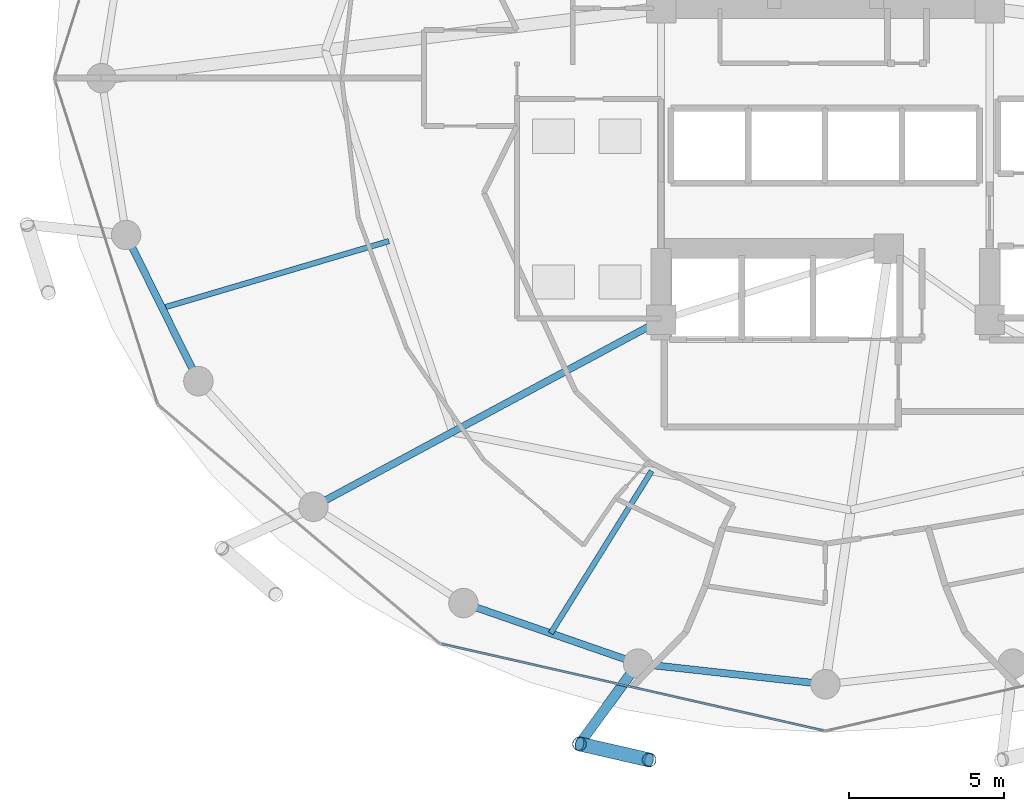
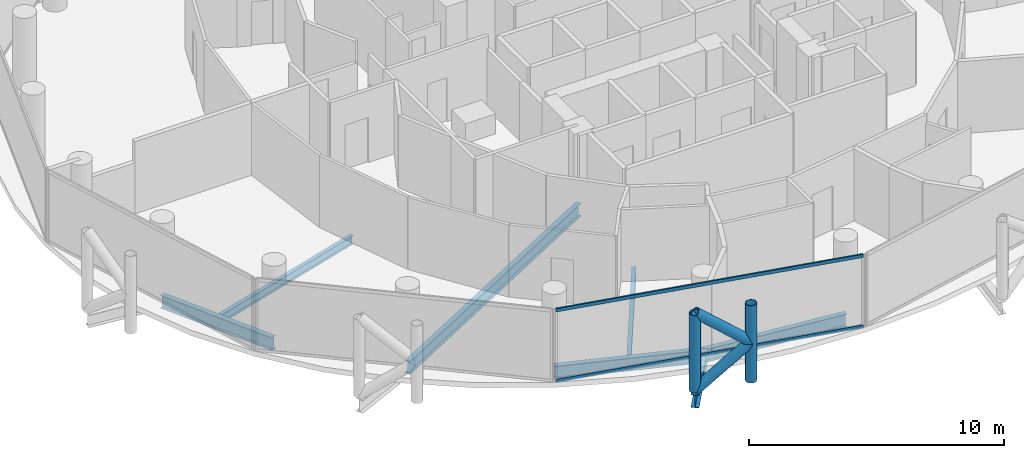
# One storey, part 3 of 26: 7 beams, 6 members, 1 element without a shape of its own.
"""IFC4 building model written with IfcOpenShell, lengths in metres."""

from ifc_helpers import new_model, si_unit, direction, frame, origin, origin_2d, place, context, subcontext, project, spatial, hollow_rectangle, hollow_circle, i_section, extrude, material, layer, layer_set, material_profile, profile_set, type_object, element, aggregate, save


model = new_model("IFC4")

# Units and contexts
model_context = context("Model", 3, precision=1e-05, world=origin(), true_north=direction((0.0, 1.0)))
body_context = subcontext(model_context, "Body", "Model", "MODEL_VIEW")
ifc_project = project(units=[si_unit("LENGTHUNIT", "METRE"), si_unit("AREAUNIT", "SQUARE_METRE"), si_unit("VOLUMEUNIT", "CUBIC_METRE"), si_unit("PLANEANGLEUNIT", "RADIAN"), si_unit("MASSUNIT", "GRAM", prefix="KILO")], contexts=[model_context])

# Site, building, storey
site_placement = place(None, origin())
site = spatial("IfcSite", under=ifc_project, at=site_placement, CompositionType="ELEMENT")
building_placement = place(site_placement, origin())
building = spatial("IfcBuilding", under=site, at=building_placement, Name="Nuhasar Tower", CompositionType="ELEMENT")
storey_placement = place(building_placement, frame((0.0, 0.0, 118.25)))
storey = spatial("IfcBuildingStorey", under=building, at=storey_placement, Name="L27", CompositionType="ELEMENT", Elevation=118.25)

# Beams
ifc_material_1 = material(Name="Steel S355", Category="steel")
ifc_material_profile_1 = material_profile(ifc_material_1, i_section(OverallWidth=0.177978515625, OverallDepth=0.406005859375, WebThickness=0.0078125, FlangeThickness=0.0126953125, at=origin_2d()), Name="W16X40")
ifc_profile_set_1 = profile_set([ifc_material_profile_1], Name="Steel S355")
beam_type_1 = type_object("IfcBeamType", Name="BM-JST-W16X40", PredefinedType="JOIST", material=ifc_profile_set_1)
beam_1_placement = place(storey_placement, frame((33.39697265625, 14.1279296875, -0.452880859375), z_axis=(-0.528139463011, -0.849157645912, 0.0), x_axis=(0.849157645912, -0.528139463011, 0.0)))
element("IfcBeam", 1, at=beam_1_placement, inside=storey, type_object=beam_type_1, Name="L27 Secondary Floor Joist 01", PredefinedType="JOIST", context=body_context, shape_type="SweptSolid", body=[
    extrude(i_section(OverallWidth=0.177978515625, OverallDepth=0.406005859375, WebThickness=0.0078125, FlangeThickness=0.0126953125, at=origin_2d()), origin(), (0.0, 0.0, 1.0), 6.164794921875),
])
beam_2_placement = place(storey_placement, frame((24.922119140625, 21.54296875, -0.452880859375), z_axis=(-0.959013356257, -0.283360869775, 0.0), x_axis=(0.283360869775, -0.959013356257, 0.0)))
element("IfcBeam", 2, at=beam_2_placement, inside=storey, type_object=beam_type_1, Name="L27 Secondary Floor Joist 08", PredefinedType="JOIST", context=body_context, shape_type="SweptSolid", body=[
    extrude(i_section(OverallWidth=0.177978515625, OverallDepth=0.406005859375, WebThickness=0.0078125, FlangeThickness=0.0126953125, at=origin_2d()), origin(), (0.0, 0.0, 1.0), 7.62255859375),
])
ifc_material_profile_2 = material_profile(ifc_material_1, i_section(OverallWidth=0.22900390625, OverallDepth=0.612060546875, WebThickness=0.011962890625, FlangeThickness=0.01953125, at=origin_2d()), Name="W24X84")
ifc_profile_set_2 = profile_set([ifc_material_profile_2], Name="Steel S355")
beam_type_2 = type_object("IfcBeamType", Name="BM-RAD-W24X84", PredefinedType="BEAM", material=ifc_profile_set_2)
beam_3_placement = place(storey_placement, frame((33.699951171875, 19.0, -0.555908203125), z_axis=(-0.880888386928, -0.473324043098, 0.0), x_axis=(0.473324043098, -0.880888386928, 0.0)))
element("IfcBeam", 3, at=beam_3_placement, inside=storey, type_object=beam_type_2, Name="L27 Radial Floor Girder 01", PredefinedType="BEAM", context=body_context, shape_type="SweptSolid", body=[
    extrude(i_section(OverallWidth=0.22900390625, OverallDepth=0.612060546875, WebThickness=0.011962890625, FlangeThickness=0.01953125, at=origin_2d()), origin(), (0.0, 0.0, 1.0), 12.726806640625),
])
ifc_material_profile_3 = material_profile(ifc_material_1, i_section(OverallWidth=0.22998046875, OverallDepth=0.616943359375, WebThickness=0.01318359375, FlangeThickness=0.022216796875, at=origin_2d()), Name="W24X94")
ifc_profile_set_3 = profile_set([ifc_material_profile_3], Name="Steel S355")
beam_type_3 = type_object("IfcBeamType", Name="BM-RING-W24X94", PredefinedType="SPANDREL", material=ifc_profile_set_3)
beam_4_placement = place(storey_placement, frame((16.446044921875, 21.739990234375, -0.55810546875), z_axis=(0.443329327657, -0.896358804966, 0.0), x_axis=(0.896358804966, 0.443329327657, 0.0)))
element("IfcBeam", 4, at=beam_4_placement, inside=storey, type_object=beam_type_3, Name="L27 Perimeter Ring Spandrel 14", PredefinedType="SPANDREL", context=body_context, shape_type="SweptSolid", body=[
    extrude(i_section(OverallWidth=0.22998046875, OverallDepth=0.616943359375, WebThickness=0.01318359375, FlangeThickness=0.022216796875, at=origin_2d()), origin(), (0.0, 0.0, 1.0), 5.26025390625),
])
beam_5_placement = place(storey_placement, frame((27.324951171875, 9.868896484375, -0.55810546875), z_axis=(0.944814057608, -0.327607076458, 0.0), x_axis=(0.327607076458, 0.944814057608, 0.0)))
element("IfcBeam", 5, at=beam_5_placement, inside=storey, type_object=beam_type_3, Name="L27 Perimeter Ring Spandrel 17", PredefinedType="SPANDREL", context=body_context, shape_type="SweptSolid", body=[
    extrude(i_section(OverallWidth=0.22998046875, OverallDepth=0.616943359375, WebThickness=0.01318359375, FlangeThickness=0.022216796875, at=origin_2d()), origin(), (0.0, 0.0, 1.0), 5.9609375),
])
beam_6_placement = place(storey_placement, frame((32.95703125, 7.916015625, -0.55810546875), z_axis=(0.993981289157, -0.109549974015, 0.0), x_axis=(0.109549974015, 0.993981289157, 0.0)))
element("IfcBeam", 6, at=beam_6_placement, inside=storey, type_object=beam_type_3, Name="L27 Perimeter Ring Spandrel 18", PredefinedType="SPANDREL", context=body_context, shape_type="SweptSolid", body=[
    extrude(i_section(OverallWidth=0.22998046875, OverallDepth=0.616943359375, WebThickness=0.01318359375, FlangeThickness=0.022216796875, at=origin_2d()), origin(), (0.0, 0.0, 1.0), 6.07958984375),
])
ifc_material_profile_4 = material_profile(ifc_material_1, i_section(OverallWidth=0.323974609375, OverallDepth=0.611083984375, WebThickness=0.0126953125, FlangeThickness=0.01904296875, at=origin_2d()), Name="W24X104")
ifc_profile_set_4 = profile_set([ifc_material_profile_4], Name="Steel S355")
beam_type_4 = type_object("IfcBeamType", Name="BM-TIE-W24X104", PredefinedType="BEAM", material=ifc_profile_set_4)
beam_7_placement = place(storey_placement, frame((32.95703125, 7.916015625, -0.554931640625), z_axis=(-0.588149050751, -0.808752554309, 0.0), x_axis=(0.808752554309, -0.588149050751, 0.0)))
element("IfcBeam", 7, at=beam_7_placement, inside=storey, type_object=beam_type_4, Name="L27 Exoskeleton Node Tie Beam 09", PredefinedType="BEAM", context=body_context, shape_type="SweptSolid", body=[
    extrude(i_section(OverallWidth=0.323974609375, OverallDepth=0.611083984375, WebThickness=0.0126953125, FlangeThickness=0.01904296875, at=origin_2d()), origin(), (0.0, 0.0, 1.0), 3.205078125),
])

# Curtain wall, members
ifc_material_2 = material(Name="Aluminium 6063-T6", Category="aluminium")
ifc_layer = layer(ifc_material_2, 0.199951171875)
ifc_layer_set = layer_set([ifc_layer], Name="Aluminium 6063-T6")
curtain_wall_type = type_object("IfcCurtainWallType", Name="CW-Z2-HTL", PredefinedType="NOTDEFINED", material=ifc_layer_set)
curtain_wall_placement = place(storey_placement, origin())
curtain_wall = element("IfcCurtainWall", 8, at=curtain_wall_placement, inside=storey, type_object=curtain_wall_type, Name="L27 Unitised Curtain Wall 09", PredefinedType="NOTDEFINED")
ifc_material_profile_5 = material_profile(ifc_material_2, hollow_rectangle(XDim=0.070068359375, YDim=0.159912109375, WallThickness=0.00439453125, at=origin_2d()), Name="CWT-3")
ifc_profile_set_5 = profile_set([ifc_material_profile_5], Name="Aluminium 6063-T6")
member_type_1 = type_object("IfcMemberType", Name="CW-TRN-S3", PredefinedType="USERDEFINED", material=ifc_profile_set_5)
member_1_placement = place(storey_placement, frame((26.63818359375, 8.54638671875, 0.034912109375), z_axis=(0.975187615691, -0.221380022142, 0.0), x_axis=(0.221380022142, 0.975187615691, 0.0)))
member_1 = element("IfcMember", 9, at=member_1_placement, type_object=member_type_1, Name="CW-Z2 transom 1.1", ObjectType="TRANSOM", PredefinedType="USERDEFINED", context=body_context, shape_type="SweptSolid", body=[
    extrude(hollow_rectangle(XDim=0.070068359375, YDim=0.159912109375, WallThickness=0.00439453125, at=origin_2d()), origin(), (0.0, 0.0, 1.0), 12.606201171875),
])
member_2_placement = place(storey_placement, frame((26.63818359375, 8.54638671875, 3.4150390625), z_axis=(0.975187615691, -0.221380022142, 0.0), x_axis=(0.221380022142, 0.975187615691, 0.0)))
member_2 = element("IfcMember", 10, at=member_2_placement, type_object=member_type_1, Name="CW-Z2 transom 1.2", ObjectType="TRANSOM", PredefinedType="USERDEFINED", context=body_context, shape_type="SweptSolid", body=[
    extrude(hollow_rectangle(XDim=0.070068359375, YDim=0.159912109375, WallThickness=0.00439453125, at=origin_2d()), origin(), (0.0, 0.0, 1.0), 12.606201171875),
])
aggregate(curtain_wall, [member_1, member_2])

# Members
ifc_material_3 = material(Name="Steel S460", Category="steel")
ifc_material_profile_6 = material_profile(ifc_material_3, hollow_circle(Radius=0.228515625, WallThickness=0.022216796875, at=origin_2d()), Name="HSS457X22.2")
ifc_profile_set_6 = profile_set([ifc_material_profile_6], Name="Steel S460")
member_type_2 = type_object("IfcMemberType", Name="EXO-BRONZE-457", PredefinedType="BRACE", material=ifc_profile_set_6)
for number, where, z_axis, x_axis, name in (
    (11, (31.072021484375, 5.323974609375, 0.0), (0.0, 0.0, 1.0), (1.0, 0.0, 0.0), "L27 Exoskeleton Chord Column EC-09A"),
    (12, (33.31396484375, 4.81005859375, 0.0), (0.0, 0.0, 1.0), (1.0, 0.0, 0.0), "L27 Exoskeleton Chord Column EC-09B"),
):
    element("IfcMember", number, at=place(storey_placement, frame(where, z_axis=z_axis, x_axis=x_axis)), inside=storey, type_object=member_type_2, Name=name, PredefinedType="BRACE", context=body_context, shape_type="SweptSolid", body=[
        extrude(hollow_circle(Radius=0.228515625, WallThickness=0.022216796875, at=origin_2d()), origin(), (0.0, 0.0, 1.0), 3.699951171875),
    ])
member_3_placement = place(storey_placement, frame((31.072021484375, 5.323974609375, 0.0), z_axis=(0.759510488094, -0.174101010284, 0.626763637022), x_axis=(0.223432882746, 0.974719316987, 0.0)))
element("IfcMember", 13, at=member_3_placement, inside=storey, type_object=member_type_2, Name="L27 Bronze Diagrid Brace W1-09", PredefinedType="BRACE", context=body_context, shape_type="SweptSolid", body=[
    extrude(hollow_circle(Radius=0.228515625, WallThickness=0.022216796875, at=origin_2d()), origin(), (0.0, 0.0, 1.0), 2.951904296875),
])
member_4_placement = place(storey_placement, frame((33.31396484375, 4.81005859375, 1.85009765625), z_axis=(-0.759549860492, 0.174110035537, 0.626713415327), x_axis=(-0.223432882746, -0.974719316987, 0.0)))
element("IfcMember", 14, at=member_4_placement, inside=storey, type_object=member_type_2, Name="L27 Bronze Diagrid Brace W2-09", PredefinedType="BRACE", context=body_context, shape_type="SweptSolid", body=[
    extrude(hollow_circle(Radius=0.228515625, WallThickness=0.022216796875, at=origin_2d()), origin(), (0.0, 0.0, 1.0), 2.95166015625),
])

save(model, "model.ifc")
